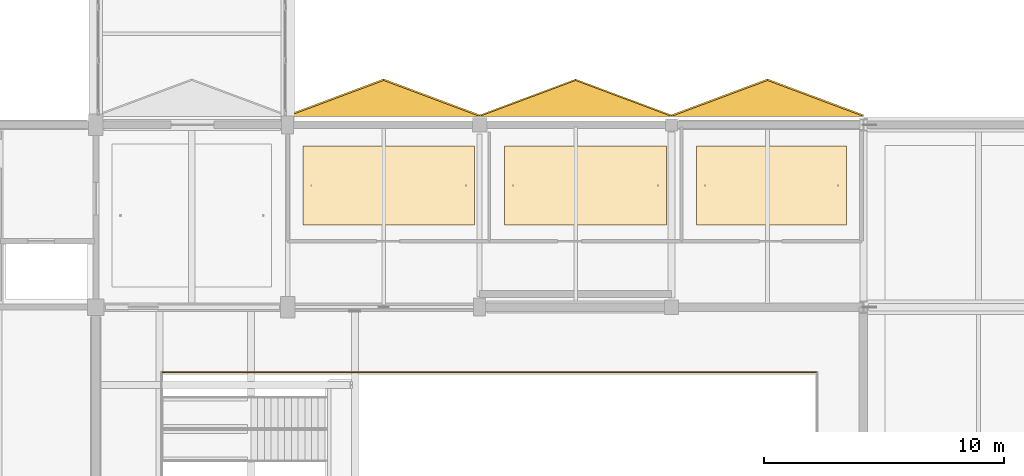
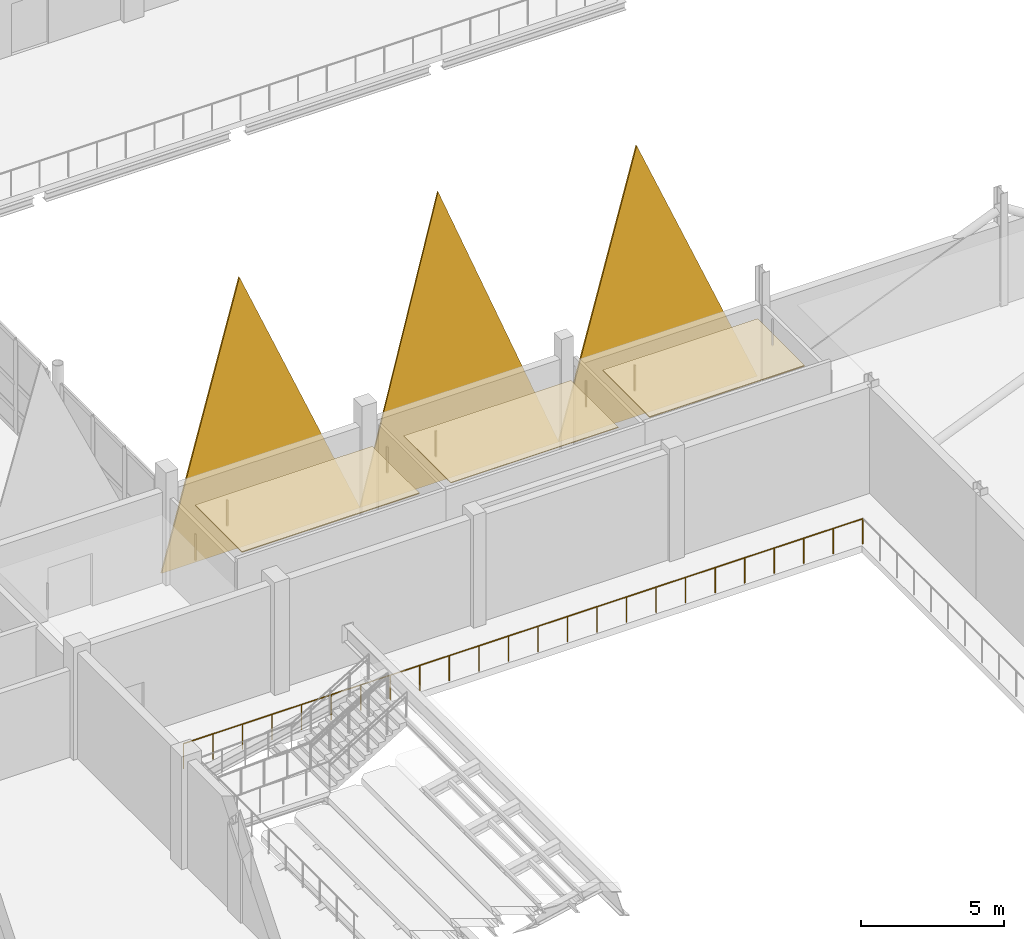
# One storey, part 132 of 141: 6 coverings, 1 railing.
"""IFC4 building model written with IfcOpenShell, lengths in metres."""

import ifcopenshell
import ifcopenshell.guid

model = None  # the IFC model being written
_history = None  # IfcOwnerHistory: only IFC2X3 demands one
_inside = {}  # id of a spatial element -> (the spatial element, [elements in it])
_under = {}  # id of a project, library or spatial element -> (it, [spatial elements below it])
_declared = {}  # id of a project -> (the project, [libraries it declares])
_typed = {}  # id of a type object -> (the type object, [elements of that type])
_made_of = {}  # id of a material, layer set ... -> (it, [elements and type objects made of it])


def new_model(schema):
    """Start an empty IFC model of exactly this schema.

    Asked for "IFC4X3", IfcOpenShell would pick the latest addendum, in which some entities
    have other attributes; the version numbers below select the first issue.
    IFC2X3 requires an IfcOwnerHistory on every rooted entity: one is made here for all.
    """
    global model, _history
    if schema == "IFC4X3":
        model = ifcopenshell.file(schema_version=(4, 3, 0, 0))
    else:
        model = ifcopenshell.file(schema=schema)
    _inside.clear()
    _under.clear()
    _declared.clear()
    _typed.clear()
    _made_of.clear()
    _history = None
    if model.schema == "IFC2X3":
        org = make("IfcOrganization", Name="unknown")
        user = make(
            "IfcPersonAndOrganization",
            ThePerson=make("IfcPerson", FamilyName="unknown"),
            TheOrganization=org,
        )
        app = make(
            "IfcApplication",
            ApplicationDeveloper=org,
            Version="unknown",
            ApplicationFullName="unknown",
            ApplicationIdentifier="unknown",
        )
        _history = make(
            "IfcOwnerHistory",
            OwningUser=user,
            OwningApplication=app,
            ChangeAction="ADDED",
            CreationDate=0,
        )
    return model


def make(cls, **values):
    """One entity of the class cls with the attributes given. An attribute that is None is left unset."""
    return model.create_entity(
        cls, **{name: value for name, value in values.items() if value is not None}
    )


def rooted(cls, **values):
    """An entity with a GlobalId (a new one), such as an element, a storey or a relation."""
    return make(cls, GlobalId=ifcopenshell.guid.new(), OwnerHistory=_history, **values)


def si_unit(unit_type, name, prefix=None):
    """IfcSIUnit, for example si_unit("LENGTHUNIT", "METRE", prefix="MILLI")."""
    return make("IfcSIUnit", UnitType=unit_type, Prefix=prefix, Name=name)


def assignment(units):
    """IfcUnitAssignment: the units of a project."""
    return None if units is None else make("IfcUnitAssignment", Units=units)


def point(xyz):
    """IfcCartesianPoint."""
    return None if xyz is None else make("IfcCartesianPoint", Coordinates=xyz)


def direction(xyz):
    """IfcDirection."""
    return None if xyz is None else make("IfcDirection", DirectionRatios=xyz)


def frame(location, z_axis=None, x_axis=None):
    """IfcAxis2Placement3D, a coordinate frame: its origin and axes. An axis left out is left unset."""
    return make(
        "IfcAxis2Placement3D",
        Location=point(location),
        Axis=direction(z_axis),
        RefDirection=direction(x_axis),
    )


def frame_2d(location, x_axis=None):
    """IfcAxis2Placement2D, a coordinate frame in the plane: its origin and x axis."""
    return make(
        "IfcAxis2Placement2D", Location=point(location), RefDirection=direction(x_axis)
    )


def origin():
    """The frame at (0, 0, 0) with its axes left unset."""
    return frame((0.0, 0.0, 0.0))


def origin_2d():
    """The frame at (0, 0) in the plane with its x axis left unset."""
    return frame_2d((0.0, 0.0))


def place(relative_to, where):
    """IfcLocalPlacement: puts the frame where relative to a parent placement (None: the world)."""
    return make(
        "IfcLocalPlacement", PlacementRelTo=relative_to, RelativePlacement=where
    )


def context(
    kind, dimensions, precision=None, world=None, true_north=None, identifier=None
):
    """IfcGeometricRepresentationContext, for example the 3D "Model" context."""
    return make(
        "IfcGeometricRepresentationContext",
        ContextIdentifier=identifier,
        ContextType=kind,
        CoordinateSpaceDimension=dimensions,
        Precision=precision,
        WorldCoordinateSystem=world,
        TrueNorth=true_north,
    )


def subcontext(parent, identifier, kind, view, scale=None):
    """IfcGeometricRepresentationSubContext, for example "Body" below "Model"."""
    return make(
        "IfcGeometricRepresentationSubContext",
        ContextIdentifier=identifier,
        ContextType=kind,
        ParentContext=parent,
        TargetScale=scale,
        TargetView=view,
    )


def project(units=None, contexts=None):
    """IfcProject with its units and contexts."""
    return rooted(
        "IfcProject",
        Name="project",
        RepresentationContexts=contexts,
        UnitsInContext=assignment(units),
    )


def spatial(cls, under=None, at=None, **own):
    """A site, building, storey or space (cls), placed at a placement, below another one or the project."""
    s = rooted(cls, ObjectPlacement=at, **own)
    if under is not None:
        _under.setdefault(under.id(), (under, []))[1].append(s)
    return s


def polyline(points):
    """IfcPolyline through the points."""
    return make("IfcPolyline", Points=[point(p) for p in points])


def profile(cls, at=None, kind="AREA", **sizes):
    """A parametric profile (cls). Its sizes go by their IFC names, for example OverallWidth=200.0."""
    return make(cls, ProfileType=kind, Position=at, **sizes)


def circle(**sizes):
    """IfcCircleProfileDef."""
    return profile("IfcCircleProfileDef", **sizes)


def outline(outer, holes=None, kind="AREA"):
    """IfcArbitraryClosedProfileDef: a profile drawn as a closed curve; with holes, ...WithVoids."""
    if holes is None:
        return make("IfcArbitraryClosedProfileDef", ProfileType=kind, OuterCurve=outer)
    return make(
        "IfcArbitraryProfileDefWithVoids",
        ProfileType=kind,
        OuterCurve=outer,
        InnerCurves=holes,
    )


def extrude(swept, where, along, depth):
    """IfcExtrudedAreaSolid: the profile swept, set in the frame where, extruded along a direction by depth."""
    return make(
        "IfcExtrudedAreaSolid",
        SweptArea=swept,
        Position=where,
        ExtrudedDirection=direction(along),
        Depth=depth,
    )


def shape(context_of_items, identifier, shape_type, items):
    """IfcShapeRepresentation: the items that make up one representation, for example the "Body"."""
    return make(
        "IfcShapeRepresentation",
        ContextOfItems=context_of_items,
        RepresentationIdentifier=identifier,
        RepresentationType=shape_type,
        Items=items,
    )


def material(Name=None, Category=None):
    """IfcMaterial."""
    return make("IfcMaterial", Name=Name, Category=Category)


def layer(
    of_material, thickness, ventilated=None, Name=None, Category=None, Priority=None
):
    """IfcMaterialLayer: one layer of a wall or slab, of a material (None: an air gap)."""
    return make(
        "IfcMaterialLayer",
        Material=of_material,
        LayerThickness=thickness,
        IsVentilated=ventilated,
        Name=Name,
        Category=Category,
        Priority=Priority,
    )


def layer_set(layers, Name=None):
    """IfcMaterialLayerSet."""
    return make("IfcMaterialLayerSet", MaterialLayers=layers, LayerSetName=Name)


def made_of(thing, what):
    """Note that an element or type object is made of a material, layer set ...; save() writes the relation."""
    if what is not None:
        _made_of.setdefault(what.id(), (what, []))[1].append(thing)
    return thing


def type_object(cls, material=None, **own):
    """A type object (cls), such as IfcWallType, which elements share."""
    return made_of(rooted(cls, **own), material)


def element(
    cls,
    number,
    at=None,
    inside=None,
    cuts=None,
    type_object=None,
    material=None,
    context=None,
    identifier="Body",
    shape_type=None,
    held_by="IfcProductDefinitionShape",
    body=None,
    shapes=None,
    **own,
):
    """One element of the class cls, such as IfcWall. Its Tag is "e" and its number.

    at: its placement. inside: the storey or other place that contains it. cuts: it is an
    opening in that element (IfcRelVoidsElement). A single representation is given by context,
    identifier, shape_type and body (its items); several are given by shapes. held_by: the class
    of the entity that holds the representations. save() writes the other relations.
    """
    e = rooted(cls, Tag="e%d" % number, ObjectPlacement=at, **own)
    if body is not None:
        shapes = [shape(context, identifier, shape_type, body)]
    if shapes is not None:
        e.Representation = make(held_by, Representations=shapes)
    if inside is not None:
        _inside.setdefault(inside.id(), (inside, []))[1].append(e)
    if cuts is not None:
        rooted(
            "IfcRelVoidsElement", RelatingBuildingElement=cuts, RelatedOpeningElement=e
        )
    if type_object is not None:
        _typed.setdefault(type_object.id(), (type_object, []))[1].append(e)
    return made_of(e, material)


def aggregate(whole, parts):
    """IfcRelAggregates: a whole, such as a stair, and the parts it consists of."""
    return rooted("IfcRelAggregates", RelatingObject=whole, RelatedObjects=parts)


def save(model, path):
    """Write the relations noted so far, then the file.

    IfcRelAggregates (storeys below a building ...), IfcRelContainedInSpatialStructure (elements
    in a storey), IfcRelDefinesByType, IfcRelAssociatesMaterial and IfcRelDeclares: one each for
    every whole, place, type object, material and project.
    """
    for whole, parts in _under.values():
        aggregate(whole, parts)
    for where, things in _inside.values():
        rooted(
            "IfcRelContainedInSpatialStructure",
            RelatedElements=things,
            RelatingStructure=where,
        )
    for kind, things in _typed.values():
        rooted("IfcRelDefinesByType", RelatedObjects=things, RelatingType=kind)
    for what, things in _made_of.values():
        rooted("IfcRelAssociatesMaterial", RelatedObjects=things, RelatingMaterial=what)
    for by, libraries in _declared.values():
        rooted("IfcRelDeclares", RelatingContext=by, RelatedDefinitions=libraries)
    model.write(path)


model = new_model("IFC4")

# Units and contexts
model_context = context("Model", 3, precision=1e-05, world=origin(), true_north=direction((0.0, 1.0)))
body_context = subcontext(model_context, "Body", "Model", "MODEL_VIEW")
ifc_project = project(units=[si_unit("LENGTHUNIT", "METRE"), si_unit("AREAUNIT", "SQUARE_METRE"), si_unit("VOLUMEUNIT", "CUBIC_METRE"), si_unit("PLANEANGLEUNIT", "RADIAN"), si_unit("MASSUNIT", "GRAM", prefix="KILO")], contexts=[model_context])

# Site, building, storey
site_placement = place(None, origin())
site = spatial("IfcSite", under=ifc_project, at=site_placement, CompositionType="ELEMENT")
building_placement = place(site_placement, origin())
building = spatial("IfcBuilding", under=site, at=building_placement, Name="Khelvaren Railside Concert Hall", CompositionType="ELEMENT")
storey_placement = place(building_placement, frame((0.0, 0.0, 10.199951171875)))
storey = spatial("IfcBuildingStorey", under=building, at=storey_placement, Name="L02", CompositionType="ELEMENT", Elevation=10.199951171875)

# Coverings
ifc_material_1 = material(Name="Precast architectural concrete C45/55", Category="concrete")
ifc_layer_1 = layer(ifc_material_1, 0.06005859375)
ifc_layer_set_1 = layer_set([ifc_layer_1], Name="Precast architectural concrete C45/55")
covering_type_1 = type_object("IfcCoveringType", Name="CLD31", PredefinedType="CLADDING", material=ifc_layer_set_1)
covering_1_placement = place(storey_placement, frame((24.0, 45.955078125, 0.0), z_axis=(0.0, -0.991128857912, 0.132904428124), x_axis=(1.0, 0.0, 0.0)))
element("IfcCovering", 1, at=covering_1_placement, inside=storey, type_object=covering_type_1, Name="Main Hall Cut-Crystal Lower Facet N-4", PredefinedType="CLADDING", context=body_context, shape_type="SweptSolid", body=[
    extrude(outline(polyline([(0.0, 0.0), (8.0, 0.0), (4.0, 11.247729424648428), (0.0, 0.0)])), origin(), (0.0, 0.0, -1.0), 0.06005859375),
])
ifc_material_2 = material(Name="Board-marked precast concrete C45/55", Category="concrete")
ifc_layer_2 = layer(ifc_material_2, 0.070068359375)
ifc_layer_set_2 = layer_set([ifc_layer_2], Name="Board-marked precast concrete C45/55")
covering_type_2 = type_object("IfcCoveringType", Name="CLD68", PredefinedType="CLADDING", material=ifc_layer_set_2)
for number, where, z_axis, x_axis, name in (
    (2, (16.0, 45.955078125, 0.0), (0.0, -0.989650134106, 0.143501261542), (1.0, 0.0, 0.0), "Main Hall Cut-Crystal Lower Facet N-3"),
    (3, (32.0, 45.955078125, 0.0), (0.0, -0.989650134106, 0.143501261542), (1.0, 0.0, 0.0), "Main Hall Cut-Crystal Lower Facet N-5"),
):
    element("IfcCovering", number, at=place(storey_placement, frame(where, z_axis=z_axis, x_axis=x_axis)), inside=storey, type_object=covering_type_2, Name=name, PredefinedType="CLADDING", context=body_context, shape_type="SweptSolid", body=[
        extrude(outline(polyline([(0.0, 0.0), (8.0, 0.0), (4.0, 10.417142196609404), (0.0, 0.0)])), origin(), (0.0, 0.0, -1.0), 0.070068359375),
    ])
ifc_material_3 = material(Name="Mineral-wool acoustic baffle ceiling", Category="gypsum")
ifc_layer_3 = layer(ifc_material_3, 0.0400390625)
ifc_layer_set_3 = layer_set([ifc_layer_3], Name="Mineral-wool acoustic baffle ceiling")
covering_type_3 = type_object("IfcCoveringType", Name="CLG20", PredefinedType="CEILING", material=ifc_layer_set_3)
covering_2_placement = place(storey_placement, frame((0.0, 0.0, 3.41015625)))
element("IfcCovering", 4, at=covering_2_placement, inside=storey, type_object=covering_type_3, Name="Suspended Acoustic Ceiling Front of House Sound Mixing Room", PredefinedType="CEILING", context=body_context, shape_type="SweptSolid", body=[
    extrude(outline(polyline([(16.6298828125, 41.429931640625), (23.777099609375, 41.429931640625), (23.777099609375, 44.719970703125), (16.6298828125, 44.719970703125), (16.6298828125, 41.429931640625)])), origin(), (0.0, 0.0, 1.0), 0.039794921875),
])
covering_3_placement = place(storey_placement, frame((0.0, 0.0, 3.41015625)))
element("IfcCovering", 5, at=covering_3_placement, inside=storey, type_object=covering_type_3, Name="Suspended Acoustic Ceiling Simultaneous Interpretation Booth", PredefinedType="CEILING", context=body_context, shape_type="SweptSolid", body=[
    extrude(outline(polyline([(33.0439453125, 41.429931640625), (39.2900390625, 41.429931640625), (39.2900390625, 44.719970703125), (33.0439453125, 44.719970703125), (33.0439453125, 41.429931640625)])), origin(), (0.0, 0.0, 1.0), 0.039794921875),
])
ifc_material_4 = material(Name="Micro-perforated timber acoustic ceiling", Category="wood")
ifc_layer_4 = layer(ifc_material_4, 0.030029296875)
ifc_layer_set_4 = layer_set([ifc_layer_4], Name="Micro-perforated timber acoustic ceiling")
covering_type_4 = type_object("IfcCoveringType", Name="CLG77", PredefinedType="CEILING", material=ifc_layer_set_4)
covering_4_placement = place(storey_placement, frame((0.0, 0.0, 3.420166015625)))
element("IfcCovering", 6, at=covering_4_placement, inside=storey, type_object=covering_type_4, Name="Suspended Acoustic Ceiling Concert Lighting Control Suite", PredefinedType="CEILING", context=body_context, shape_type="SweptSolid", body=[
    extrude(outline(polyline([(25.037109375, 41.429931640625), (31.783935546875, 41.429931640625), (31.783935546875, 44.719970703125), (25.037109375, 44.719970703125), (25.037109375, 41.429931640625)])), origin(), (0.0, 0.0, 1.0), 0.02978515625),
])

# Railing
ifc_material_5 = material(Name="Acoustic bronze and laminated glass guardrail", Category="glass")
railing_type = type_object("IfcRailingType", Name="GRD91", PredefinedType="GUARDRAIL", material=ifc_material_5)
railing_placement = place(storey_placement, frame((38.080078125, 35.280029296875, 0.0)))
element("IfcRailing", 7, at=railing_placement, inside=storey, type_object=railing_type, Name="V1 L02 Acoustic Bowl Edge Guardrail N", PredefinedType="GUARDRAIL", context=body_context, shape_type="SweptSolid", body=[
    extrude(circle(Radius=0.02392578125, at=origin_2d()), frame((0.0, 0.0, 1.076171875), z_axis=(-1.0, 0.0, 0.0), x_axis=(0.0, -1.0, 0.0)), (0.0, 0.0, 1.0), 27.360107421875),
    extrude(circle(Radius=0.02099609375, at=origin_2d()), origin(), (0.0, 0.0, 1.0), 1.052001953125),
    extrude(circle(Radius=0.02099609375, at=origin_2d()), frame((-1.189453125, 0.0, 0.0)), (0.0, 0.0, 1.0), 1.052001953125),
    extrude(circle(Radius=0.02099609375, at=origin_2d()), frame((-2.379150390625, 0.0, 0.0)), (0.0, 0.0, 1.0), 1.052001953125),
    extrude(circle(Radius=0.02099609375, at=origin_2d()), frame((-3.568603515625, 0.0, 0.0)), (0.0, 0.0, 1.0), 1.052001953125),
    extrude(circle(Radius=0.02099609375, at=origin_2d()), frame((-4.75830078125, 0.0, 0.0)), (0.0, 0.0, 1.0), 1.052001953125),
    extrude(circle(Radius=0.02099609375, at=origin_2d()), frame((-5.94775390625, 0.0, 0.0)), (0.0, 0.0, 1.0), 1.052001953125),
    extrude(circle(Radius=0.02099609375, at=origin_2d()), frame((-7.137451171875, 0.0, 0.0)), (0.0, 0.0, 1.0), 1.052001953125),
    extrude(circle(Radius=0.02099609375, at=origin_2d()), frame((-8.326904296875, 0.0, 0.0)), (0.0, 0.0, 1.0), 1.052001953125),
    extrude(circle(Radius=0.02099609375, at=origin_2d()), frame((-9.5166015625, 0.0, 0.0)), (0.0, 0.0, 1.0), 1.052001953125),
    extrude(circle(Radius=0.02099609375, at=origin_2d()), frame((-10.7060546875, 0.0, 0.0)), (0.0, 0.0, 1.0), 1.052001953125),
    extrude(circle(Radius=0.02099609375, at=origin_2d()), frame((-11.895751953125, 0.0, 0.0)), (0.0, 0.0, 1.0), 1.052001953125),
    extrude(circle(Radius=0.02099609375, at=origin_2d()), frame((-13.085205078125, 0.0, 0.0)), (0.0, 0.0, 1.0), 1.052001953125),
    extrude(circle(Radius=0.02099609375, at=origin_2d()), frame((-14.27490234375, 0.0, 0.0)), (0.0, 0.0, 1.0), 1.052001953125),
    extrude(circle(Radius=0.02099609375, at=origin_2d()), frame((-15.46435546875, 0.0, 0.0)), (0.0, 0.0, 1.0), 1.052001953125),
    extrude(circle(Radius=0.02099609375, at=origin_2d()), frame((-16.654052734375, 0.0, 0.0)), (0.0, 0.0, 1.0), 1.052001953125),
    extrude(circle(Radius=0.02099609375, at=origin_2d()), frame((-17.843505859375, 0.0, 0.0)), (0.0, 0.0, 1.0), 1.052001953125),
    extrude(circle(Radius=0.02099609375, at=origin_2d()), frame((-19.033203125, 0.0, 0.0)), (0.0, 0.0, 1.0), 1.052001953125),
    extrude(circle(Radius=0.02099609375, at=origin_2d()), frame((-20.22265625, 0.0, 0.0)), (0.0, 0.0, 1.0), 1.052001953125),
    extrude(circle(Radius=0.02099609375, at=origin_2d()), frame((-21.412353515625, 0.0, 0.0)), (0.0, 0.0, 1.0), 1.052001953125),
    extrude(circle(Radius=0.02099609375, at=origin_2d()), frame((-22.601806640625, 0.0, 0.0)), (0.0, 0.0, 1.0), 1.052001953125),
    extrude(circle(Radius=0.02099609375, at=origin_2d()), frame((-23.79150390625, 0.0, 0.0)), (0.0, 0.0, 1.0), 1.052001953125),
    extrude(circle(Radius=0.02099609375, at=origin_2d()), frame((-24.98095703125, 0.0, 0.0)), (0.0, 0.0, 1.0), 1.052001953125),
    extrude(circle(Radius=0.02099609375, at=origin_2d()), frame((-26.170654296875, 0.0, 0.0)), (0.0, 0.0, 1.0), 1.052001953125),
    extrude(circle(Radius=0.02099609375, at=origin_2d()), frame((-27.360107421875, 0.0, 0.0)), (0.0, 0.0, 1.0), 1.052001953125),
])

save(model, "model.ifc")
